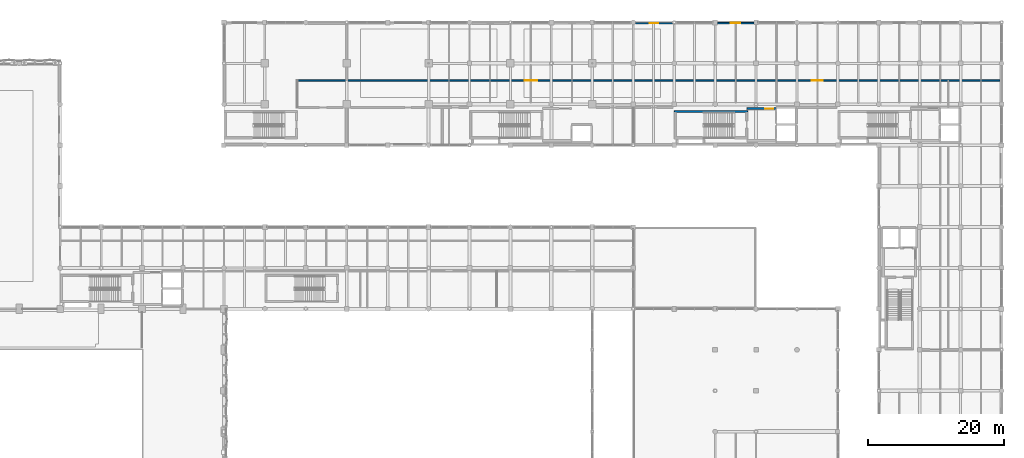
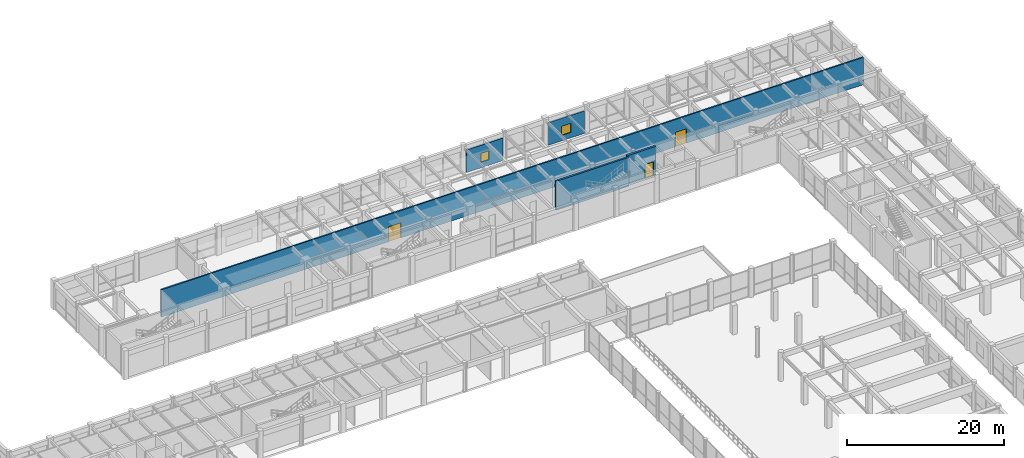
# One storey, part 95 of 116: 5 walls, 3 doors, 2 windows, 5 openings.
"""IFC4 building model written with IfcOpenShell, lengths in metres."""

from ifc_helpers import new_model, si_unit, direction, frame, frame_2d, origin, place, context, subcontext, project, spatial, rectangle, extrude, material, layer, layer_set, type_object, element, fill, save


model = new_model("IFC4")

# Units and contexts
model_context = context("Model", 3, precision=1e-05, world=origin(), true_north=direction((0.0, 1.0)))
body_context = subcontext(model_context, "Body", "Model", "MODEL_VIEW")
ifc_project = project(units=[si_unit("LENGTHUNIT", "METRE"), si_unit("AREAUNIT", "SQUARE_METRE"), si_unit("VOLUMEUNIT", "CUBIC_METRE"), si_unit("PLANEANGLEUNIT", "RADIAN"), si_unit("MASSUNIT", "GRAM", prefix="KILO"), si_unit("THERMODYNAMICTEMPERATUREUNIT", "KELVIN"), si_unit("POWERUNIT", "WATT")], contexts=[model_context])

# Site, building, storey
site_placement = place(None, origin())
site = spatial("IfcSite", under=ifc_project, at=site_placement, CompositionType="ELEMENT")
building_placement = place(site_placement, origin())
building = spatial("IfcBuilding", under=site, at=building_placement, Name="Phaisarnlok Congress Hotel", CompositionType="ELEMENT")
storey_placement = place(building_placement, frame((0.0, 0.0, 10.5)))
storey = spatial("IfcBuildingStorey", under=building, at=storey_placement, Name="L02", CompositionType="ELEMENT", Elevation=10.5)

# Wall, opening, window
ifc_material_1 = material(Name="Concrete C40/50", Category="concrete")
ifc_layer_1 = layer(ifc_material_1, 0.2099609375, Name="Concrete C40/50")
ifc_layer_set_1 = layer_set([ifc_layer_1], Name="Concrete C40/50")
wall_type_1 = type_object("IfcWallType", Name="WL-EXT-210", PredefinedType="SOLIDWALL", material=ifc_layer_set_1)
wall_1_placement = place(storey_placement, frame((143.669921875, 125.89501953125, 0.0), z_axis=(0.0, 0.0, 1.0), x_axis=(-1.0, 0.0, 0.0)))
wall_1 = element("IfcWall", 1, at=wall_1_placement, inside=storey, type_object=wall_type_1, Name="Exterior wall EW-07 (L02)", PredefinedType="SOLIDWALL", context=body_context, shape_type="SweptSolid", body=[
    extrude(rectangle(XDim=5.31494140625, YDim=0.2099609375, at=frame_2d((2.657470703125, 0.0))), origin(), (0.0, 0.0, 1.0), 3.489990234375),
])
opening_1_placement = place(wall_1_placement, frame((1.95703125, 0.0, 0.85009765625)))
opening_1 = element("IfcOpeningElement", 2, at=opening_1_placement, cuts=wall_1, Name="Opening W-13", PredefinedType="OPENING", context=body_context, shape_type="SweptSolid", body=[
    extrude(rectangle(XDim=1.39990234375, YDim=1.39990234375, at=frame_2d((0.699951171875, 0.699951171875))), frame((0.0, 0.114990234375, 0.0), z_axis=(0.0, -1.0, 0.0), x_axis=(1.0, 0.0, 0.0)), (0.0, 0.0, 1.0), 0.22998046875),
])
ifc_material_2 = material(Name="Thermally Broken Aluminium & Low-E Double Glazing", Category="aluminium")
window_type_1 = type_object("IfcWindowType", Name="WIN-POD-1400", PartitioningType="SINGLE_PANEL", PredefinedType="WINDOW", material=ifc_material_2)
window_1_placement = place(opening_1_placement, origin())
window_1 = element("IfcWindow", 3, at=window_1_placement, inside=storey, type_object=window_type_1, Name="Podium window W-13 (L02)", OverallHeight=1.39990234375, OverallWidth=1.39990234375, PartitioningType="SINGLE_PANEL", PredefinedType="WINDOW", context=body_context, shape_type="SweptSolid", body=[
    extrude(rectangle(XDim=1.39990234375, YDim=1.39990234375, at=frame_2d((0.699951171875, 0.699951171875))), frame((0.0, 0.030029296875, 0.0), z_axis=(0.0, -1.0, 0.0), x_axis=(1.0, 0.0, 0.0)), (0.0, 0.0, 1.0), 0.06005859375),
])
fill(opening_1, window_1)

ifc_layer_2 = layer(ifc_material_1, 0.25, Name="Concrete C40/50")
ifc_layer_set_2 = layer_set([ifc_layer_2], Name="Concrete C40/50")
wall_type_2 = type_object("IfcWallType", Name="WL-EXT-250", PredefinedType="SOLIDWALL", material=ifc_layer_set_2)
wall_2_placement = place(storey_placement, frame((131.740966796875, 125.875, 0.0), z_axis=(0.0, 0.0, 1.0), x_axis=(-1.0, 0.0, 0.0)))
wall_2 = element("IfcWall", 4, at=wall_2_placement, inside=storey, type_object=wall_type_2, Name="Exterior wall EW-05 (L02)", PredefinedType="SOLIDWALL", context=body_context, shape_type="SweptSolid", body=[
    extrude(rectangle(XDim=5.385986328125, YDim=0.25, at=frame_2d((2.69287109375, 0.0))), origin(), (0.0, 0.0, 1.0), 3.489990234375),
])
opening_2_placement = place(wall_2_placement, frame((2.093017578125, 0.0, 0.85009765625)))
opening_2 = element("IfcOpeningElement", 5, at=opening_2_placement, cuts=wall_2, Name="Opening W-14", PredefinedType="OPENING", context=body_context, shape_type="SweptSolid", body=[
    extrude(rectangle(XDim=1.199951171875, YDim=1.39990234375, at=frame_2d((0.60009765625, 0.699951171875))), frame((0.0, 0.135009765625, 0.0), z_axis=(0.0, -1.0, 0.0), x_axis=(1.0, 0.0, 0.0)), (0.0, 0.0, 1.0), 0.27001953125),
])
window_type_2 = type_object("IfcWindowType", Name="WIN-POD-1200", PartitioningType="SINGLE_PANEL", PredefinedType="WINDOW", material=ifc_material_2)
window_2_placement = place(opening_2_placement, origin())
window_2 = element("IfcWindow", 6, at=window_2_placement, inside=storey, type_object=window_type_2, Name="Podium window W-14 (L02)", OverallHeight=1.39990234375, OverallWidth=1.199951171875, PartitioningType="SINGLE_PANEL", PredefinedType="WINDOW", context=body_context, shape_type="SweptSolid", body=[
    extrude(rectangle(XDim=1.199951171875, YDim=1.39990234375, at=frame_2d((0.60009765625, 0.699951171875))), frame((0.0, 0.030029296875, 0.0), z_axis=(0.0, -1.0, 0.0), x_axis=(1.0, 0.0, 0.0)), (0.0, 0.0, 1.0), 0.06005859375),
])
fill(opening_2, window_2)

# Wall, openings, doors
ifc_material_3 = material(Name="Autoclaved Aerated Concrete Block", Category="concrete")
ifc_layer_3 = layer(ifc_material_3, 0.199951171875, Name="Autoclaved Aerated Concrete Block")
ifc_layer_set_3 = layer_set([ifc_layer_3], Name="Autoclaved Aerated Concrete Block")
wall_type_3 = type_object("IfcWallType", Name="WL-INT-200", PredefinedType="PARTITIONING", material=ifc_layer_set_3)
wall_3_placement = place(storey_placement, frame((76.75, 117.5, 0.0), z_axis=(0.0, 0.0, 1.0), x_axis=(1.0, 0.0, 0.0)))
wall_3 = element("IfcWall", 7, at=wall_3_placement, inside=storey, type_object=wall_type_3, Name="Interior partition wall IW-02 (L02)", PredefinedType="PARTITIONING", context=body_context, shape_type="SweptSolid", body=[
    extrude(rectangle(XDim=103.034912109375, YDim=0.199951171875, at=frame_2d((51.517578125, 0.0))), origin(), (0.0, 0.0, 1.0), 4.239990234375),
])
opening_3_placement = place(wall_3_placement, frame((33.35009765625, 0.0, 0.0)))
opening_3 = element("IfcOpeningElement", 8, at=opening_3_placement, cuts=wall_3, Name="Opening D-0094", PredefinedType="OPENING", context=body_context, shape_type="SweptSolid", body=[
    extrude(rectangle(XDim=1.800048828125, YDim=2.35009765625, at=frame_2d((0.89990234375, 1.175048828125))), frame((0.0, 0.10986328125, 0.0), z_axis=(0.0, -1.0, 0.0), x_axis=(1.0, 0.0, 0.0)), (0.0, 0.0, 1.0), 0.219970703125),
])
opening_4_placement = place(wall_3_placement, frame((75.449951171875, 0.0, 0.0)))
opening_4 = element("IfcOpeningElement", 9, at=opening_4_placement, cuts=wall_3, Name="Opening D-0095", PredefinedType="OPENING", context=body_context, shape_type="SweptSolid", body=[
    extrude(rectangle(XDim=1.60009765625, YDim=2.25, at=frame_2d((0.800048828125, 1.125))), frame((0.0, 0.10986328125, 0.0), z_axis=(0.0, -1.0, 0.0), x_axis=(1.0, 0.0, 0.0)), (0.0, 0.0, 1.0), 0.219970703125),
])
ifc_material_4 = material(Name="Frameless Tempered Acoustic Glass", Category="glass")
door_type_1 = type_object("IfcDoorType", Name="DR-GLZ-1600", OperationType="DOUBLE_DOOR_SINGLE_SWING", PredefinedType="DOOR", material=ifc_material_4)
door_1_placement = place(opening_4_placement, origin())
door_1 = element("IfcDoor", 10, at=door_1_placement, inside=storey, type_object=door_type_1, Name="Interior door D-0095 (L02)", OperationType="DOUBLE_DOOR_SINGLE_SWING", OverallHeight=2.25, OverallWidth=1.60009765625, PredefinedType="DOOR", context=body_context, shape_type="SweptSolid", body=[
    extrude(rectangle(XDim=1.60009765625, YDim=2.25, at=frame_2d((0.800048828125, 1.125))), frame((0.0, 0.02490234375, 0.0), z_axis=(0.0, -1.0, 0.0), x_axis=(1.0, 0.0, 0.0)), (0.0, 0.0, 1.0), 0.050048828125),
])
fill(opening_4, door_1)
door_type_2 = type_object("IfcDoorType", Name="DR-GLZ-1800", OperationType="DOUBLE_DOOR_SINGLE_SWING", PredefinedType="DOOR", material=ifc_material_4)
door_2_placement = place(opening_3_placement, origin())
door_2 = element("IfcDoor", 11, at=door_2_placement, inside=storey, type_object=door_type_2, Name="Interior door D-0094 (L02)", OperationType="DOUBLE_DOOR_SINGLE_SWING", OverallHeight=2.35009765625, OverallWidth=1.800048828125, PredefinedType="DOOR", context=body_context, shape_type="SweptSolid", body=[
    extrude(rectangle(XDim=1.800048828125, YDim=2.35009765625, at=frame_2d((0.89990234375, 1.175048828125))), frame((0.0, 0.02490234375, 0.0), z_axis=(0.0, -1.0, 0.0), x_axis=(1.0, 0.0, 0.0)), (0.0, 0.0, 1.0), 0.050048828125),
])
fill(opening_3, door_2)

# Wall
ifc_material_5 = material(Name="Concrete C50/60", Category="concrete")
ifc_layer_4 = layer(ifc_material_5, 0.260009765625, Name="Concrete C50/60")
ifc_layer_set_4 = layer_set([ifc_layer_4], Name="Concrete C50/60")
wall_type_4 = type_object("IfcWallType", Name="WL-SHR-260", PredefinedType="SHEAR", material=ifc_layer_set_4)
wall_4_placement = place(storey_placement, frame((132.0400390625, 112.929931640625, 0.0), z_axis=(0.0, 0.0, 1.0), x_axis=(1.0, 0.0, 0.0)))
element("IfcWall", 12, at=wall_4_placement, inside=storey, type_object=wall_type_4, Name="Stair shaft shear wall SW-04 (CORE-2 L02)", PredefinedType="SHEAR", context=body_context, shape_type="SweptSolid", body=[
    extrude(rectangle(XDim=10.719970703125, YDim=0.260009765625, at=frame_2d((5.35986328125, 0.0))), origin(), (0.0, 0.0, 1.0), 4.5),
])

# Wall, opening, door
ifc_layer_5 = layer(ifc_material_5, 0.300048828125, Name="Concrete C50/60")
ifc_layer_set_5 = layer_set([ifc_layer_5], Name="Concrete C50/60")
wall_type_5 = type_object("IfcWallType", Name="WL-SHR-300", PredefinedType="SHEAR", material=ifc_layer_set_5)
wall_5_placement = place(storey_placement, frame((142.679931640625, 113.35009765625, 0.0), z_axis=(0.0, 0.0, 1.0), x_axis=(1.0, 0.0, 0.0)))
wall_5 = element("IfcWall", 13, at=wall_5_placement, inside=storey, type_object=wall_type_5, Name="Core lobby EI-120 wall SW-03 (CORE-2 L02)", PredefinedType="SHEAR", context=body_context, shape_type="SweptSolid", body=[
    extrude(rectangle(XDim=4.239990234375, YDim=0.300048828125, at=frame_2d((2.1201171875, 0.0))), origin(), (0.0, 0.0, 1.0), 4.5),
])
opening_5_placement = place(wall_5_placement, frame((2.64990234375, 0.0, 0.0)))
opening_5 = element("IfcOpeningElement", 14, at=opening_5_placement, cuts=wall_5, Name="Opening FD-049", PredefinedType="OPENING", context=body_context, shape_type="SweptSolid", body=[
    extrude(rectangle(XDim=1.199951171875, YDim=2.199951171875, at=frame_2d((0.60009765625, 1.10009765625))), frame((0.0, 0.16015625, 0.0), z_axis=(0.0, -1.0, 0.0), x_axis=(1.0, 0.0, 0.0)), (0.0, 0.0, 1.0), 0.320068359375),
])
ifc_material_6 = material(Name="Fire-Rated Steel Frame & Timber Leaf", Category="steel")
door_type_3 = type_object("IfcDoorType", Name="DR-FD60-1200", OperationType="NOTDEFINED", PredefinedType="DOOR", material=ifc_material_6)
door_3_placement = place(opening_5_placement, origin())
door_3 = element("IfcDoor", 15, at=door_3_placement, inside=storey, type_object=door_type_3, Name="Firefighting lobby entrance door FD-049 (CORE-2 L02)", OperationType="SINGLE_SWING_RIGHT", OverallHeight=2.199951171875, OverallWidth=1.199951171875, PredefinedType="DOOR", context=body_context, shape_type="SweptSolid", body=[
    extrude(rectangle(XDim=1.199951171875, YDim=2.199951171875, at=frame_2d((0.60009765625, 1.10009765625))), frame((0.0, 0.02490234375, 0.0), z_axis=(0.0, -1.0, 0.0), x_axis=(1.0, 0.0, 0.0)), (0.0, 0.0, 1.0), 0.050048828125),
])
fill(opening_5, door_3)

save(model, "model.ifc")
